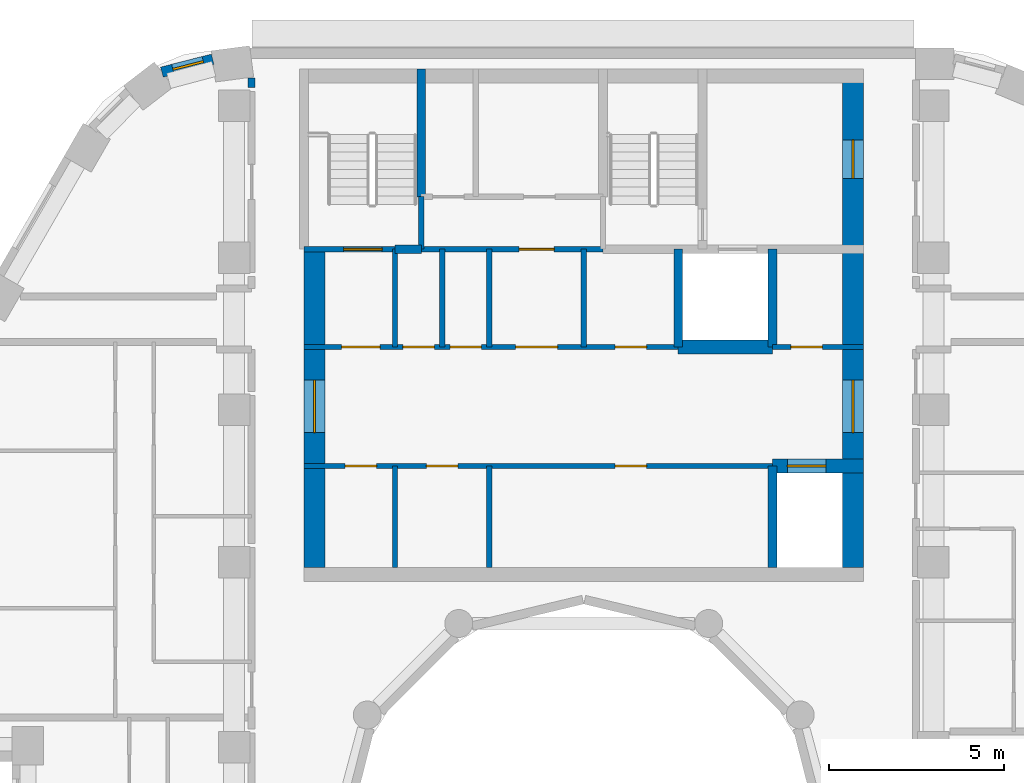
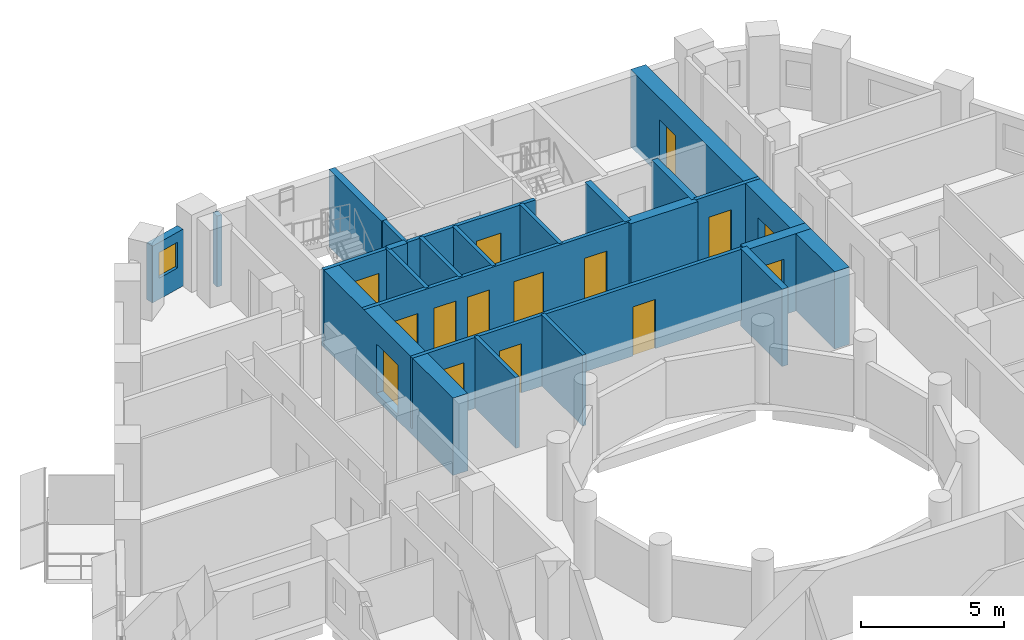
# One storey, part 7 of 14: 23 walls, 15 doors, 1 window, 16 openings.
"""IFC4 building model written with IfcOpenShell, lengths in metres."""

from ifc_helpers import new_model, si_unit, direction, frame, frame_2d, origin, place, context, subcontext, project, spatial, rectangle, extrude, material, layer, layer_set, type_object, element, fill, save


model = new_model("IFC4")

# Units and contexts
model_context = context("Model", 3, precision=1e-05, world=origin(), true_north=direction((0.0, 1.0)))
body_context = subcontext(model_context, "Body", "Model", "MODEL_VIEW")
ifc_project = project(units=[si_unit("LENGTHUNIT", "METRE"), si_unit("AREAUNIT", "SQUARE_METRE"), si_unit("VOLUMEUNIT", "CUBIC_METRE"), si_unit("PLANEANGLEUNIT", "RADIAN"), si_unit("MASSUNIT", "GRAM", prefix="KILO")], contexts=[model_context])

# Site, building, storey
site_placement = place(None, origin())
site = spatial("IfcSite", under=ifc_project, at=site_placement, CompositionType="ELEMENT")
building_placement = place(site_placement, origin())
building = spatial("IfcBuilding", under=site, at=building_placement, Name="Nakaniwa Court", CompositionType="ELEMENT")
storey_placement = place(building_placement, frame((0.0, 0.0, 262.5)))
storey = spatial("IfcBuildingStorey", under=building, at=storey_placement, Name="L69", CompositionType="ELEMENT", Elevation=262.5)

# Wall
ifc_material_1 = material(Name="Acoustic double stud partition")
ifc_layer_1 = layer(ifc_material_1, 0.199951171875)
ifc_layer_set_1 = layer_set([ifc_layer_1], Name="Acoustic double stud partition")
wall_type_1 = type_object("IfcWallType", Name="Acoustic double stud partition 200", PredefinedType="PARTITIONING", material=ifc_layer_set_1)
wall_1_placement = place(storey_placement, frame((70.5, 101.527099609375, 0.0), z_axis=(0.0, 0.0, 1.0), x_axis=(0.0, 1.0, 0.0)))
element("IfcWall", 1, at=wall_1_placement, inside=storey, type_object=wall_type_1, Name="Partition PW-096", PredefinedType="PARTITIONING", context=body_context, shape_type="SweptSolid", body=[
    extrude(rectangle(XDim=0.273681640625, YDim=0.199951171875, at=frame_2d((0.13671875, 0.0))), origin(), (0.0, 0.0, 1.0), 3.02490234375),
])

# Wall, opening, window
ifc_material_2 = material(Name="Charcoal ceramic cladding")
ifc_layer_2 = layer(ifc_material_2, 0.02, Name="Ceramic cladding")
ifc_material_3 = material(Name="Ventilated air cavity")
ifc_layer_3 = layer(ifc_material_3, 0.04, ventilated=True, Name="Ventilated cavity")
ifc_material_4 = material(Name="Mineral wool insulation")
ifc_layer_4 = layer(ifc_material_4, 0.1, Name="Insulation")
ifc_material_5 = material(Name="Cement bonded sheathing board")
ifc_layer_5 = layer(ifc_material_5, 0.012, Name="Sheathing")
ifc_material_6 = material(Name="Cold-formed galvanised stud frame with mineral wool infill")
ifc_layer_6 = layer(ifc_material_6, 0.1, Name="Stud frame")
ifc_material_7 = material(Name="Fire-rated gypsum plasterboard lining")
ifc_layer_7 = layer(ifc_material_7, 0.028, Name="Lining")
ifc_layer_set_2 = layer_set([ifc_layer_2, ifc_layer_3, ifc_layer_4, ifc_layer_5, ifc_layer_6, ifc_layer_7], Name="Charcoal ceramic faced external wall system")
wall_type_2 = type_object("IfcWallType", Name="Black ceramic faced external wall 300", PredefinedType="SOLIDWALL", material=ifc_layer_set_2)
wall_2_placement = place(storey_placement, frame((69.386474609375, 102.333251953125, 0.0), z_axis=(0.0, 0.0, 1.0), x_axis=(-0.968895303033, -0.247470991757, 0.0)))
wall_2 = element("IfcWall", 2, at=wall_2_placement, inside=storey, type_object=wall_type_2, Name="L69 external wall 09", PredefinedType="SOLIDWALL", context=body_context, shape_type="SweptSolid", body=[
    extrude(rectangle(XDim=1.50048828125, YDim=0.300048828125, at=frame_2d((0.750244140625, 0.0))), origin(), (0.0, 0.0, 1.0), 2.425048828125),
])
opening_1_placement = place(wall_2_placement, frame((0.27587890625, 0.0, 0.89990234375)))
opening_1 = element("IfcOpeningElement", 3, at=opening_1_placement, cuts=wall_2, Name="Opening W9.07", PredefinedType="OPENING", context=body_context, shape_type="SweptSolid", body=[
    extrude(rectangle(XDim=0.89990234375, YDim=1.10009765625, at=frame_2d((0.449951171875, 0.550048828125))), frame((0.0, 0.159912109375, 0.0), z_axis=(0.0, -1.0, 0.0), x_axis=(1.0, 0.0, 0.0)), (0.0, 0.0, 1.0), 0.320068359375),
])
ifc_material_8 = material(Name="Black anodised aluminium frame with dark low-E laminated double glazing", Category="aluminium")
window_type = type_object("IfcWindowType", Name="Dark glass window 900x1100 sill 900", PartitioningType="SINGLE_PANEL", PredefinedType="WINDOW", material=ifc_material_8)
window_placement = place(opening_1_placement, origin())
window = element("IfcWindow", 4, at=window_placement, inside=storey, type_object=window_type, Name="L69 habitable room window 09-0", OverallHeight=1.10009765625, OverallWidth=0.89990234375, PartitioningType="SINGLE_PANEL", PredefinedType="WINDOW", context=body_context, shape_type="SweptSolid", body=[
    extrude(rectangle(XDim=0.89990234375, YDim=1.10009765625, at=frame_2d((0.449951171875, 0.550048828125))), frame((0.0, 0.030029296875, 0.0), z_axis=(0.0, -1.0, 0.0), x_axis=(1.0, 0.0, 0.0)), (0.0, 0.0, 1.0), 0.06005859375),
])
fill(opening_1, window)

# Walls
ifc_material_9 = material(Name="Blockwork partition", Category="masonry")
ifc_layer_8 = layer(ifc_material_9, 0.14990234375)
ifc_layer_set_3 = layer_set([ifc_layer_8], Name="Blockwork partition")
wall_type_3 = type_object("IfcWallType", Name="Blockwork partition 150", PredefinedType="PARTITIONING", material=ifc_layer_set_3)
wall_3_placement = place(storey_placement, frame((74.60009765625, 87.800048828125, 0.0), z_axis=(0.0, 0.0, 1.0), x_axis=(0.0, 1.0, 0.0)))
element("IfcWall", 5, at=wall_3_placement, inside=storey, type_object=wall_type_3, Name="Partition PW-001", PredefinedType="PARTITIONING", context=body_context, shape_type="SweptSolid", body=[
    extrude(rectangle(XDim=2.89990234375, YDim=0.14990234375, at=frame_2d((1.449951171875, 0.0))), origin(), (0.0, 0.0, 1.0), 3.02490234375),
])
wall_4_placement = place(storey_placement, frame((74.60009765625, 94.10009765625, 0.0), z_axis=(0.0, 0.0, 1.0), x_axis=(0.0, 1.0, 0.0)))
element("IfcWall", 6, at=wall_4_placement, inside=storey, type_object=wall_type_3, Name="Partition PW-002", PredefinedType="PARTITIONING", context=body_context, shape_type="SweptSolid", body=[
    extrude(rectangle(XDim=2.7998046875, YDim=0.14990234375, at=frame_2d((1.39990234375, 0.0))), origin(), (0.0, 0.0, 1.0), 3.02490234375),
])

# Wall, openings, doors
wall_5_placement = place(storey_placement, frame((85.39990234375, 90.699951171875, 0.0), z_axis=(0.0, 0.0, 1.0), x_axis=(-1.0, 0.0, 0.0)))
wall_5 = element("IfcWall", 7, at=wall_5_placement, inside=storey, type_object=wall_type_3, Name="Partition PW-003", PredefinedType="PARTITIONING", context=body_context, shape_type="SweptSolid", body=[
    extrude(rectangle(XDim=13.39990234375, YDim=0.14990234375, at=frame_2d((6.699951171875, 0.0))), origin(), (0.0, 0.0, 1.0), 3.02490234375),
])
opening_2_placement = place(wall_5_placement, frame((11.324951171875, 0.0, 0.0)))
opening_2 = element("IfcOpeningElement", 8, at=opening_2_placement, cuts=wall_5, Name="Opening D-05-01", PredefinedType="OPENING", context=body_context, shape_type="SweptSolid", body=[
    extrude(rectangle(XDim=0.89990234375, YDim=2.10009765625, at=frame_2d((0.449951171875, 1.050048828125))), frame((0.0, 0.0849609375, 0.0), z_axis=(0.0, -1.0, 0.0), x_axis=(1.0, 0.0, 0.0)), (0.0, 0.0, 1.0), 0.169921875),
])
opening_3_placement = place(wall_5_placement, frame((9.0, 0.0, 0.0)))
opening_3 = element("IfcOpeningElement", 9, at=opening_3_placement, cuts=wall_5, Name="Opening D-05-02", PredefinedType="OPENING", context=body_context, shape_type="SweptSolid", body=[
    extrude(rectangle(XDim=0.89990234375, YDim=2.10009765625, at=frame_2d((0.449951171875, 1.050048828125))), frame((0.0, 0.0849609375, 0.0), z_axis=(0.0, -1.0, 0.0), x_axis=(1.0, 0.0, 0.0)), (0.0, 0.0, 1.0), 0.169921875),
])
opening_4_placement = place(wall_5_placement, frame((3.60009765625, 0.0, 0.0)))
opening_4 = element("IfcOpeningElement", 10, at=opening_4_placement, cuts=wall_5, Name="Opening D-05-03", PredefinedType="OPENING", context=body_context, shape_type="SweptSolid", body=[
    extrude(rectangle(XDim=0.89990234375, YDim=2.10009765625, at=frame_2d((0.449951171875, 1.050048828125))), frame((0.0, 0.0849609375, 0.0), z_axis=(0.0, -1.0, 0.0), x_axis=(1.0, 0.0, 0.0)), (0.0, 0.0, 1.0), 0.169921875),
])
ifc_material_10 = material(Name="Fire rated steel door set", Category="steel")
door_type_1 = type_object("IfcDoorType", Name="Service room door 900", OperationType="NOTDEFINED", PredefinedType="DOOR", material=ifc_material_10)
door_1_placement = place(opening_2_placement, origin())
door_1 = element("IfcDoor", 11, at=door_1_placement, inside=storey, type_object=door_type_1, Name="Door D-05-01 L69-001", OperationType="SINGLE_SWING_RIGHT", OverallHeight=2.10009765625, OverallWidth=0.89990234375, PredefinedType="DOOR", context=body_context, shape_type="SweptSolid", body=[
    extrude(rectangle(XDim=0.89990234375, YDim=2.10009765625, at=frame_2d((0.449951171875, 1.050048828125))), frame((0.0, 0.02490234375, 0.0), z_axis=(0.0, -1.0, 0.0), x_axis=(1.0, 0.0, 0.0)), (0.0, 0.0, 1.0), 0.050048828125),
])
fill(opening_2, door_1)
door_2_placement = place(opening_3_placement, origin())
door_2 = element("IfcDoor", 12, at=door_2_placement, inside=storey, type_object=door_type_1, Name="Door D-05-02 L69-002", OperationType="SINGLE_SWING_LEFT", OverallHeight=2.10009765625, OverallWidth=0.89990234375, PredefinedType="DOOR", context=body_context, shape_type="SweptSolid", body=[
    extrude(rectangle(XDim=0.89990234375, YDim=2.10009765625, at=frame_2d((0.449951171875, 1.050048828125))), frame((0.0, 0.02490234375, 0.0), z_axis=(0.0, -1.0, 0.0), x_axis=(1.0, 0.0, 0.0)), (0.0, 0.0, 1.0), 0.050048828125),
])
fill(opening_3, door_2)
door_3_placement = place(opening_4_placement, origin())
door_3 = element("IfcDoor", 13, at=door_3_placement, inside=storey, type_object=door_type_1, Name="Door D-05-03 L69-003", OperationType="SINGLE_SWING_RIGHT", OverallHeight=2.10009765625, OverallWidth=0.89990234375, PredefinedType="DOOR", context=body_context, shape_type="SweptSolid", body=[
    extrude(rectangle(XDim=0.89990234375, YDim=2.10009765625, at=frame_2d((0.449951171875, 1.050048828125))), frame((0.0, 0.02490234375, 0.0), z_axis=(0.0, -1.0, 0.0), x_axis=(1.0, 0.0, 0.0)), (0.0, 0.0, 1.0), 0.050048828125),
])
fill(opening_4, door_3)

# Walls
wall_6_placement = place(storey_placement, frame((77.300048828125, 87.800048828125, 0.0), z_axis=(0.0, 0.0, 1.0), x_axis=(0.0, 1.0, 0.0)))
element("IfcWall", 14, at=wall_6_placement, inside=storey, type_object=wall_type_3, Name="Partition PW-009", PredefinedType="PARTITIONING", context=body_context, shape_type="SweptSolid", body=[
    extrude(rectangle(XDim=2.89990234375, YDim=0.14990234375, at=frame_2d((1.449951171875, 0.0))), origin(), (0.0, 0.0, 1.0), 3.02490234375),
])
wall_7_placement = place(storey_placement, frame((77.300048828125, 94.10009765625, 0.0), z_axis=(0.0, 0.0, 1.0), x_axis=(0.0, 1.0, 0.0)))
element("IfcWall", 15, at=wall_7_placement, inside=storey, type_object=wall_type_3, Name="Partition PW-010", PredefinedType="PARTITIONING", context=body_context, shape_type="SweptSolid", body=[
    extrude(rectangle(XDim=2.7998046875, YDim=0.14990234375, at=frame_2d((1.39990234375, 0.0))), origin(), (0.0, 0.0, 1.0), 3.02490234375),
])

# Wall, openings, doors
wall_8_placement = place(storey_placement, frame((72.0, 94.10009765625, 0.0), z_axis=(0.0, 0.0, 1.0), x_axis=(1.0, 0.0, 0.0)))
wall_8 = element("IfcWall", 16, at=wall_8_placement, inside=storey, type_object=wall_type_3, Name="Partition PW-011", PredefinedType="PARTITIONING", context=body_context, shape_type="SweptSolid", body=[
    extrude(rectangle(XDim=10.702880859375, YDim=0.14990234375, at=frame_2d((5.3515625, 0.0))), origin(), (0.0, 0.0, 1.0), 3.02490234375),
])
opening_5_placement = place(wall_8_placement, frame((1.074951171875, 0.0, 0.0)))
opening_5 = element("IfcOpeningElement", 17, at=opening_5_placement, cuts=wall_8, Name="Opening D-08-01", PredefinedType="OPENING", context=body_context, shape_type="SweptSolid", body=[
    extrude(rectangle(XDim=1.10009765625, YDim=2.10009765625, at=frame_2d((0.550048828125, 1.050048828125))), frame((0.0, 0.0849609375, 0.0), z_axis=(0.0, -1.0, 0.0), x_axis=(1.0, 0.0, 0.0)), (0.0, 0.0, 1.0), 0.169921875),
])
opening_6_placement = place(wall_8_placement, frame((2.824951171875, 0.0, 0.0)))
opening_6 = element("IfcOpeningElement", 18, at=opening_6_placement, cuts=wall_8, Name="Opening D-05-04", PredefinedType="OPENING", context=body_context, shape_type="SweptSolid", body=[
    extrude(rectangle(XDim=0.89990234375, YDim=2.10009765625, at=frame_2d((0.449951171875, 1.050048828125))), frame((0.0, 0.0849609375, 0.0), z_axis=(0.0, -1.0, 0.0), x_axis=(1.0, 0.0, 0.0)), (0.0, 0.0, 1.0), 0.169921875),
])
opening_7_placement = place(wall_8_placement, frame((4.175048828125, 0.0, 0.0)))
opening_7 = element("IfcOpeningElement", 19, at=opening_7_placement, cuts=wall_8, Name="Opening D-05-05", PredefinedType="OPENING", context=body_context, shape_type="SweptSolid", body=[
    extrude(rectangle(XDim=0.89990234375, YDim=2.10009765625, at=frame_2d((0.449951171875, 1.050048828125))), frame((0.0, 0.0849609375, 0.0), z_axis=(0.0, -1.0, 0.0), x_axis=(1.0, 0.0, 0.0)), (0.0, 0.0, 1.0), 0.169921875),
])
opening_8_placement = place(wall_8_placement, frame((6.050048828125, 0.0, 0.0)))
opening_8 = element("IfcOpeningElement", 20, at=opening_8_placement, cuts=wall_8, Name="Opening D-06-01", PredefinedType="OPENING", context=body_context, shape_type="SweptSolid", body=[
    extrude(rectangle(XDim=1.199951171875, YDim=2.10009765625, at=frame_2d((0.60009765625, 1.050048828125))), frame((0.0, 0.0849609375, 0.0), z_axis=(0.0, -1.0, 0.0), x_axis=(1.0, 0.0, 0.0)), (0.0, 0.0, 1.0), 0.169921875),
])
opening_9_placement = place(wall_8_placement, frame((8.89990234375, 0.0, 0.0)))
opening_9 = element("IfcOpeningElement", 21, at=opening_9_placement, cuts=wall_8, Name="Opening D-05-06", PredefinedType="OPENING", context=body_context, shape_type="SweptSolid", body=[
    extrude(rectangle(XDim=0.89990234375, YDim=2.10009765625, at=frame_2d((0.449951171875, 1.050048828125))), frame((0.0, 0.0849609375, 0.0), z_axis=(0.0, -1.0, 0.0), x_axis=(1.0, 0.0, 0.0)), (0.0, 0.0, 1.0), 0.169921875),
])
ifc_material_11 = material(Name="Fire rated steel double door set", Category="steel")
door_type_2 = type_object("IfcDoorType", Name="Service passage double door 1200", OperationType="NOTDEFINED", PredefinedType="DOOR", material=ifc_material_11)
door_4_placement = place(opening_8_placement, origin())
door_4 = element("IfcDoor", 22, at=door_4_placement, inside=storey, type_object=door_type_2, Name="Door D-06-01 L69-007", OperationType="DOUBLE_DOOR_SINGLE_SWING", OverallHeight=2.10009765625, OverallWidth=1.199951171875, PredefinedType="DOOR", context=body_context, shape_type="SweptSolid", body=[
    extrude(rectangle(XDim=1.199951171875, YDim=2.10009765625, at=frame_2d((0.60009765625, 1.050048828125))), frame((0.0, 0.02490234375, 0.0), z_axis=(0.0, -1.0, 0.0), x_axis=(1.0, 0.0, 0.0)), (0.0, 0.0, 1.0), 0.050048828125),
])
fill(opening_8, door_4)
door_5_placement = place(opening_6_placement, origin())
door_5 = element("IfcDoor", 23, at=door_5_placement, inside=storey, type_object=door_type_1, Name="Door D-05-04 L69-005", OperationType="SINGLE_SWING_RIGHT", OverallHeight=2.10009765625, OverallWidth=0.89990234375, PredefinedType="DOOR", context=body_context, shape_type="SweptSolid", body=[
    extrude(rectangle(XDim=0.89990234375, YDim=2.10009765625, at=frame_2d((0.449951171875, 1.050048828125))), frame((0.0, 0.02490234375, 0.0), z_axis=(0.0, -1.0, 0.0), x_axis=(1.0, 0.0, 0.0)), (0.0, 0.0, 1.0), 0.050048828125),
])
fill(opening_6, door_5)
door_6_placement = place(opening_7_placement, origin())
door_6 = element("IfcDoor", 24, at=door_6_placement, inside=storey, type_object=door_type_1, Name="Door D-05-05 L69-006", OperationType="SINGLE_SWING_LEFT", OverallHeight=2.10009765625, OverallWidth=0.89990234375, PredefinedType="DOOR", context=body_context, shape_type="SweptSolid", body=[
    extrude(rectangle(XDim=0.89990234375, YDim=2.10009765625, at=frame_2d((0.449951171875, 1.050048828125))), frame((0.0, 0.02490234375, 0.0), z_axis=(0.0, -1.0, 0.0), x_axis=(1.0, 0.0, 0.0)), (0.0, 0.0, 1.0), 0.050048828125),
])
fill(opening_7, door_6)
door_7_placement = place(opening_9_placement, origin())
door_7 = element("IfcDoor", 25, at=door_7_placement, inside=storey, type_object=door_type_1, Name="Door D-05-06 L69-008", OperationType="SINGLE_SWING_LEFT", OverallHeight=2.10009765625, OverallWidth=0.89990234375, PredefinedType="DOOR", context=body_context, shape_type="SweptSolid", body=[
    extrude(rectangle(XDim=0.89990234375, YDim=2.10009765625, at=frame_2d((0.449951171875, 1.050048828125))), frame((0.0, 0.02490234375, 0.0), z_axis=(0.0, -1.0, 0.0), x_axis=(1.0, 0.0, 0.0)), (0.0, 0.0, 1.0), 0.050048828125),
])
fill(opening_9, door_7)
door_type_3 = type_object("IfcDoorType", Name="Stair lobby door 1100", OperationType="NOTDEFINED", PredefinedType="DOOR", material=ifc_material_10)
door_8_placement = place(opening_5_placement, origin())
door_8 = element("IfcDoor", 26, at=door_8_placement, inside=storey, type_object=door_type_3, Name="Door D-08-01 L69-004", OperationType="SINGLE_SWING_LEFT", OverallHeight=2.10009765625, OverallWidth=1.10009765625, PredefinedType="DOOR", context=body_context, shape_type="SweptSolid", body=[
    extrude(rectangle(XDim=1.10009765625, YDim=2.10009765625, at=frame_2d((0.550048828125, 1.050048828125))), frame((0.0, 0.02490234375, 0.0), z_axis=(0.0, -1.0, 0.0), x_axis=(1.0, 0.0, 0.0)), (0.0, 0.0, 1.0), 0.050048828125),
])
fill(opening_5, door_8)

# Wall, opening, door
wall_9_placement = place(storey_placement, frame((85.39697265625, 94.10009765625, 0.0), z_axis=(0.0, 0.0, 1.0), x_axis=(1.0, 0.0, 0.0)))
wall_9 = element("IfcWall", 27, at=wall_9_placement, inside=storey, type_object=wall_type_3, Name="Partition PW-012", PredefinedType="PARTITIONING", context=body_context, shape_type="SweptSolid", body=[
    extrude(rectangle(XDim=2.60302734375, YDim=0.14990234375, at=frame_2d((1.301513671875, 0.0))), origin(), (0.0, 0.0, 1.0), 3.02490234375),
])
opening_10_placement = place(wall_9_placement, frame((0.528076171875, 0.0, 0.0)))
opening_10 = element("IfcOpeningElement", 28, at=opening_10_placement, cuts=wall_9, Name="Opening D-05-07", PredefinedType="OPENING", context=body_context, shape_type="SweptSolid", body=[
    extrude(rectangle(XDim=0.89990234375, YDim=2.10009765625, at=frame_2d((0.449951171875, 1.050048828125))), frame((0.0, 0.0849609375, 0.0), z_axis=(0.0, -1.0, 0.0), x_axis=(1.0, 0.0, 0.0)), (0.0, 0.0, 1.0), 0.169921875),
])
door_9_placement = place(opening_10_placement, origin())
door_9 = element("IfcDoor", 29, at=door_9_placement, inside=storey, type_object=door_type_1, Name="Door D-05-07 L69-009", OperationType="SINGLE_SWING_RIGHT", OverallHeight=2.10009765625, OverallWidth=0.89990234375, PredefinedType="DOOR", context=body_context, shape_type="SweptSolid", body=[
    extrude(rectangle(XDim=0.89990234375, YDim=2.10009765625, at=frame_2d((0.449951171875, 1.050048828125))), frame((0.0, 0.02490234375, 0.0), z_axis=(0.0, -1.0, 0.0), x_axis=(1.0, 0.0, 0.0)), (0.0, 0.0, 1.0), 0.050048828125),
])
fill(opening_10, door_9)

# Wall
wall_10_placement = place(storey_placement, frame((75.949951171875, 94.10009765625, 0.0), z_axis=(0.0, 0.0, 1.0), x_axis=(0.0, 1.0, 0.0)))
element("IfcWall", 30, at=wall_10_placement, inside=storey, type_object=wall_type_3, Name="Partition PW-015", PredefinedType="PARTITIONING", context=body_context, shape_type="SweptSolid", body=[
    extrude(rectangle(XDim=2.7998046875, YDim=0.14990234375, at=frame_2d((1.39990234375, 0.0))), origin(), (0.0, 0.0, 1.0), 3.02490234375),
])

# Wall, opening, door
wall_11_placement = place(storey_placement, frame((75.346923828125, 96.89990234375, 0.0), z_axis=(0.0, 0.0, 1.0), x_axis=(1.0, 0.0, 0.0)))
wall_11 = element("IfcWall", 31, at=wall_11_placement, inside=storey, type_object=wall_type_3, Name="Partition PW-018", PredefinedType="PARTITIONING", context=body_context, shape_type="SweptSolid", body=[
    extrude(rectangle(XDim=5.2060546875, YDim=0.14990234375, at=frame_2d((2.60302734375, 0.0))), origin(), (0.0, 0.0, 1.0), 3.02490234375),
])
opening_11_placement = place(wall_11_placement, frame((2.802978515625, 0.0, 0.0)))
opening_11 = element("IfcOpeningElement", 32, at=opening_11_placement, cuts=wall_11, Name="Opening D-23-01", PredefinedType="OPENING", context=body_context, shape_type="SweptSolid", body=[
    extrude(rectangle(XDim=1.0, YDim=2.10009765625, at=frame_2d((0.5, 1.050048828125))), frame((0.0, 0.0849609375, 0.0), z_axis=(0.0, -1.0, 0.0), x_axis=(1.0, 0.0, 0.0)), (0.0, 0.0, 1.0), 0.169921875),
])
door_type_4 = type_object("IfcDoorType", Name="Service room door 1000", OperationType="NOTDEFINED", PredefinedType="DOOR", material=ifc_material_10)
door_10_placement = place(opening_11_placement, origin())
door_10 = element("IfcDoor", 33, at=door_10_placement, inside=storey, type_object=door_type_4, Name="Door D-23-01 L69-010", OperationType="SINGLE_SWING_LEFT", OverallHeight=2.10009765625, OverallWidth=1.0, PredefinedType="DOOR", context=body_context, shape_type="SweptSolid", body=[
    extrude(rectangle(XDim=1.0, YDim=2.10009765625, at=frame_2d((0.5, 1.050048828125))), frame((0.0, 0.02490234375, 0.0), z_axis=(0.0, -1.0, 0.0), x_axis=(1.0, 0.0, 0.0)), (0.0, 0.0, 1.0), 0.050048828125),
])
fill(opening_11, door_10)

# Wall
wall_12_placement = place(storey_placement, frame((80.0, 94.10009765625, 0.0), z_axis=(0.0, 0.0, 1.0), x_axis=(0.0, 1.0, 0.0)))
element("IfcWall", 34, at=wall_12_placement, inside=storey, type_object=wall_type_3, Name="Partition PW-019", PredefinedType="PARTITIONING", context=body_context, shape_type="SweptSolid", body=[
    extrude(rectangle(XDim=2.7998046875, YDim=0.14990234375, at=frame_2d((1.39990234375, 0.0))), origin(), (0.0, 0.0, 1.0), 3.02490234375),
])

# Wall, opening, door
ifc_material_12 = material(Name="Concrete C80/100", Category="concrete")
ifc_layer_9 = layer(ifc_material_12, 0.60009765625)
ifc_layer_set_4 = layer_set([ifc_layer_9], Name="Concrete C80/100")
wall_type_4 = type_object("IfcWallType", Name="Concrete core side wall 600 C80", PredefinedType="SHEAR", material=ifc_layer_set_4)
wall_13_placement = place(storey_placement, frame((72.300048828125, 87.800048828125, -0.27490234375), z_axis=(0.0, 0.0, 1.0), x_axis=(0.0, 1.0, 0.0)))
wall_13 = element("IfcWall", 35, at=wall_13_placement, inside=storey, type_object=wall_type_4, Name="Core wall SW-04", PredefinedType="SHEAR", context=body_context, shape_type="SweptSolid", body=[
    extrude(rectangle(XDim=9.099853515625, YDim=0.60009765625, at=frame_2d((4.5498046875, 0.0))), origin(), (0.0, 0.0, 1.0), 3.2998046875),
])
opening_12_placement = place(wall_13_placement, frame((3.85009765625, 0.0, 0.27490234375)))
opening_12 = element("IfcOpeningElement", 36, at=opening_12_placement, cuts=wall_13, Name="Opening D-07-02", PredefinedType="OPENING", context=body_context, shape_type="SweptSolid", body=[
    extrude(rectangle(XDim=1.5, YDim=2.10009765625, at=frame_2d((0.75, 1.050048828125))), frame((0.0, 0.31005859375, 0.0), z_axis=(0.0, -1.0, 0.0), x_axis=(1.0, 0.0, 0.0)), (0.0, 0.0, 1.0), 0.6201171875),
])
ifc_material_13 = material(Name="Glazed fire rated steel double door set", Category="steel")
door_type_5 = type_object("IfcDoorType", Name="Lobby double door 1500", OperationType="NOTDEFINED", PredefinedType="DOOR", material=ifc_material_13)
door_11_placement = place(opening_12_placement, origin())
door_11 = element("IfcDoor", 37, at=door_11_placement, inside=storey, type_object=door_type_5, Name="Door D-07-02 L69-060", OperationType="DOUBLE_DOOR_SINGLE_SWING", OverallHeight=2.10009765625, OverallWidth=1.5, PredefinedType="DOOR", context=body_context, shape_type="SweptSolid", body=[
    extrude(rectangle(XDim=1.5, YDim=2.10009765625, at=frame_2d((0.75, 1.050048828125))), frame((0.0, 0.02490234375, 0.0), z_axis=(0.0, -1.0, 0.0), x_axis=(1.0, 0.0, 0.0)), (0.0, 0.0, 1.0), 0.050048828125),
])
fill(opening_12, door_11)

# Wall, openings, doors
wall_14_placement = place(storey_placement, frame((87.699951171875, 102.050048828125, -0.27490234375), z_axis=(0.0, 0.0, 1.0), x_axis=(0.0, -1.0, 0.0)))
wall_14 = element("IfcWall", 38, at=wall_14_placement, inside=storey, type_object=wall_type_4, Name="Core wall SW-08", PredefinedType="SHEAR", context=body_context, shape_type="SweptSolid", body=[
    extrude(rectangle(XDim=14.25, YDim=0.60009765625, at=frame_2d((7.125, 0.0))), origin(), (0.0, 0.0, 1.0), 3.2998046875),
])
opening_13_placement = place(wall_14_placement, frame((8.89990234375, 0.0, 0.27490234375)))
opening_13 = element("IfcOpeningElement", 39, at=opening_13_placement, cuts=wall_14, Name="Opening D-07-01", PredefinedType="OPENING", context=body_context, shape_type="SweptSolid", body=[
    extrude(rectangle(XDim=1.5, YDim=2.10009765625, at=frame_2d((0.75, 1.050048828125))), frame((0.0, 0.31005859375, 0.0), z_axis=(0.0, -1.0, 0.0), x_axis=(1.0, 0.0, 0.0)), (0.0, 0.0, 1.0), 0.6201171875),
])
opening_14_placement = place(wall_14_placement, frame((2.02490234375, 0.0, 0.27490234375)))
opening_14 = element("IfcOpeningElement", 40, at=opening_14_placement, cuts=wall_14, Name="Opening D-10-01", PredefinedType="OPENING", context=body_context, shape_type="SweptSolid", body=[
    extrude(rectangle(XDim=1.10009765625, YDim=2.10009765625, at=frame_2d((0.550048828125, 1.050048828125))), frame((0.0, 0.31005859375, 0.0), z_axis=(0.0, -1.0, 0.0), x_axis=(1.0, 0.0, 0.0)), (0.0, 0.0, 1.0), 0.6201171875),
])
door_type_6 = type_object("IfcDoorType", Name="Firefighting lobby door 1100", OperationType="NOTDEFINED", PredefinedType="DOOR", material=ifc_material_10)
door_12_placement = place(opening_14_placement, origin())
door_12 = element("IfcDoor", 41, at=door_12_placement, inside=storey, type_object=door_type_6, Name="Door D-10-01 L69-061", OperationType="SINGLE_SWING_RIGHT", OverallHeight=2.10009765625, OverallWidth=1.10009765625, PredefinedType="DOOR", context=body_context, shape_type="SweptSolid", body=[
    extrude(rectangle(XDim=1.10009765625, YDim=2.10009765625, at=frame_2d((0.550048828125, 1.050048828125))), frame((0.0, 0.02490234375, 0.0), z_axis=(0.0, -1.0, 0.0), x_axis=(1.0, 0.0, 0.0)), (0.0, 0.0, 1.0), 0.050048828125),
])
fill(opening_14, door_12)
door_13_placement = place(opening_13_placement, origin())
door_13 = element("IfcDoor", 42, at=door_13_placement, inside=storey, type_object=door_type_5, Name="Door D-07-01 L69-059", OperationType="DOUBLE_DOOR_SINGLE_SWING", OverallHeight=2.10009765625, OverallWidth=1.5, PredefinedType="DOOR", context=body_context, shape_type="SweptSolid", body=[
    extrude(rectangle(XDim=1.5, YDim=2.10009765625, at=frame_2d((0.75, 1.050048828125))), frame((0.0, 0.02490234375, 0.0), z_axis=(0.0, -1.0, 0.0), x_axis=(1.0, 0.0, 0.0)), (0.0, 0.0, 1.0), 0.050048828125),
])
fill(opening_13, door_13)

# Wall, opening, door
ifc_layer_10 = layer(ifc_material_12, 0.39990234375)
ifc_layer_set_5 = layer_set([ifc_layer_10], Name="Concrete C80/100")
wall_type_5 = type_object("IfcWallType", Name="Concrete core spine wall 400 C80", PredefinedType="SHEAR", material=ifc_layer_set_5)
wall_15_placement = place(storey_placement, frame((85.39990234375, 90.699951171875, -0.27490234375), z_axis=(0.0, 0.0, 1.0), x_axis=(1.0, 0.0, 0.0)))
wall_15 = element("IfcWall", 43, at=wall_15_placement, inside=storey, type_object=wall_type_5, Name="Core wall SW-07", PredefinedType="SHEAR", context=body_context, shape_type="SweptSolid", body=[
    extrude(rectangle(XDim=2.60009765625, YDim=0.39990234375, at=frame_2d((1.300048828125, 0.0))), origin(), (0.0, 0.0, 1.0), 3.2998046875),
])
opening_15_placement = place(wall_15_placement, frame((0.425048828125, 0.0, 0.27490234375)))
opening_15 = element("IfcOpeningElement", 44, at=opening_15_placement, cuts=wall_15, Name="Opening LD01", PredefinedType="OPENING", context=body_context, shape_type="SweptSolid", body=[
    extrude(rectangle(XDim=1.10009765625, YDim=2.10009765625, at=frame_2d((0.550048828125, 1.050048828125))), frame((0.0, 0.2099609375, 0.0), z_axis=(0.0, -1.0, 0.0), x_axis=(1.0, 0.0, 0.0)), (0.0, 0.0, 1.0), 0.419921875),
])
ifc_material_14 = material(Name="Stainless steel sliding lift landing door", Category="steel")
door_type_7 = type_object("IfcDoorType", Name="Lift landing door 1100", OperationType="NOTDEFINED", PredefinedType="DOOR", material=ifc_material_14)
door_14_placement = place(opening_15_placement, origin())
door_14 = element("IfcDoor", 45, at=door_14_placement, inside=storey, type_object=door_type_7, Name="Lift landing door LD01 L69-001", OperationType="SLIDING_TO_LEFT", OverallHeight=2.10009765625, OverallWidth=1.10009765625, PredefinedType="DOOR", context=body_context, shape_type="SweptSolid", body=[
    extrude(rectangle(XDim=1.10009765625, YDim=2.10009765625, at=frame_2d((0.550048828125, 1.050048828125))), frame((0.0, 0.02490234375, 0.0), z_axis=(0.0, -1.0, 0.0), x_axis=(1.0, 0.0, 0.0)), (0.0, 0.0, 1.0), 0.050048828125),
])
fill(opening_15, door_14)

# Wall
wall_16_placement = place(storey_placement, frame((82.697021484375, 94.10009765625, -0.27490234375), z_axis=(0.0, 0.0, 1.0), x_axis=(1.0, 0.0, 0.0)))
element("IfcWall", 46, at=wall_16_placement, inside=storey, type_object=wall_type_5, Name="Core wall SW-13", PredefinedType="SHEAR", context=body_context, shape_type="SweptSolid", body=[
    extrude(rectangle(XDim=2.7060546875, YDim=0.39990234375, at=frame_2d((1.35302734375, 0.0))), origin(), (0.0, 0.0, 1.0), 3.2998046875),
])

# Wall, opening, door
ifc_layer_11 = layer(ifc_material_12, 0.14990234375)
ifc_layer_set_6 = layer_set([ifc_layer_11], Name="Concrete C80/100")
wall_type_6 = type_object("IfcWallType", Name="Concrete core wall 150 C80", PredefinedType="SHEAR", material=ifc_layer_set_6)
wall_17_placement = place(storey_placement, frame((74.60009765625, 96.89990234375, -0.27490234375), z_axis=(0.0, 0.0, 1.0), x_axis=(-1.0, 0.0, 0.0)))
wall_17 = element("IfcWall", 47, at=wall_17_placement, inside=storey, type_object=wall_type_6, Name="Core wall SW-14", PredefinedType="SHEAR", context=body_context, shape_type="SweptSolid", body=[
    extrude(rectangle(XDim=2.60009765625, YDim=0.14990234375, at=frame_2d((1.300048828125, 0.0))), origin(), (0.0, 0.0, 1.0), 3.2998046875),
])
opening_16_placement = place(wall_17_placement, frame((0.3701171875, 0.0, 0.27490234375)))
opening_16 = element("IfcOpeningElement", 48, at=opening_16_placement, cuts=wall_17, Name="Opening D-09-01", PredefinedType="OPENING", context=body_context, shape_type="SweptSolid", body=[
    extrude(rectangle(XDim=1.10009765625, YDim=2.10009765625, at=frame_2d((0.550048828125, 1.050048828125))), frame((0.0, 0.0849609375, 0.0), z_axis=(0.0, -1.0, 0.0), x_axis=(1.0, 0.0, 0.0)), (0.0, 0.0, 1.0), 0.169921875),
])
door_type_8 = type_object("IfcDoorType", Name="Stair door 1100", OperationType="NOTDEFINED", PredefinedType="DOOR", material=ifc_material_10)
door_15_placement = place(opening_16_placement, origin())
door_15 = element("IfcDoor", 49, at=door_15_placement, inside=storey, type_object=door_type_8, Name="Door D-09-01 L69-013", OperationType="SINGLE_SWING_LEFT", OverallHeight=2.10009765625, OverallWidth=1.10009765625, PredefinedType="DOOR", context=body_context, shape_type="SweptSolid", body=[
    extrude(rectangle(XDim=1.10009765625, YDim=2.10009765625, at=frame_2d((0.550048828125, 1.050048828125))), frame((0.0, 0.02490234375, 0.0), z_axis=(0.0, -1.0, 0.0), x_axis=(1.0, 0.0, 0.0)), (0.0, 0.0, 1.0), 0.050048828125),
])
fill(opening_16, door_15)

# Walls
wall_18_placement = place(storey_placement, frame((75.35009765625, 96.89990234375, -0.27490234375), z_axis=(0.0, 0.0, 1.0), x_axis=(0.0, 1.0, 0.0)))
element("IfcWall", 50, at=wall_18_placement, inside=storey, type_object=wall_type_6, Name="Core wall SW-21", PredefinedType="SHEAR", context=body_context, shape_type="SweptSolid", body=[
    extrude(rectangle(XDim=1.503173828125, YDim=0.14990234375, at=frame_2d((0.75146484375, 0.0))), origin(), (0.0, 0.0, 1.0), 3.2998046875),
])
ifc_layer_12 = layer(ifc_material_12, 0.25)
ifc_layer_set_7 = layer_set([ifc_layer_12], Name="Concrete C80/100")
wall_type_7 = type_object("IfcWallType", Name="Concrete shaft wall 250 C80", PredefinedType="SHEAR", material=ifc_layer_set_7)
wall_19_placement = place(storey_placement, frame((85.39990234375, 87.800048828125, -0.27490234375), z_axis=(0.0, 0.0, 1.0), x_axis=(0.0, 1.0, 0.0)))
element("IfcWall", 51, at=wall_19_placement, inside=storey, type_object=wall_type_7, Name="Core wall SW-05", PredefinedType="SHEAR", context=body_context, shape_type="SweptSolid", body=[
    extrude(rectangle(XDim=2.89990234375, YDim=0.25, at=frame_2d((1.449951171875, 0.0))), origin(), (0.0, 0.0, 1.0), 3.2998046875),
])
wall_20_placement = place(storey_placement, frame((85.39990234375, 94.10009765625, -0.27490234375), z_axis=(0.0, 0.0, 1.0), x_axis=(0.0, 1.0, 0.0)))
element("IfcWall", 52, at=wall_20_placement, inside=storey, type_object=wall_type_7, Name="Core wall SW-06", PredefinedType="SHEAR", context=body_context, shape_type="SweptSolid", body=[
    extrude(rectangle(XDim=2.7998046875, YDim=0.25, at=frame_2d((1.39990234375, 0.0))), origin(), (0.0, 0.0, 1.0), 3.2998046875),
])
wall_21_placement = place(storey_placement, frame((74.60009765625, 96.89990234375, -0.27490234375), z_axis=(0.0, 0.0, 1.0), x_axis=(1.0, 0.0, 0.0)))
element("IfcWall", 53, at=wall_21_placement, inside=storey, type_object=wall_type_7, Name="Core wall SW-16", PredefinedType="SHEAR", context=body_context, shape_type="SweptSolid", body=[
    extrude(rectangle(XDim=0.7529296875, YDim=0.25, at=frame_2d((0.37646484375, 0.0))), origin(), (0.0, 0.0, 1.0), 3.2998046875),
])
wall_22_placement = place(storey_placement, frame((82.699951171875, 94.10009765625, -0.27490234375), z_axis=(0.0, 0.0, 1.0), x_axis=(0.0, 1.0, 0.0)))
element("IfcWall", 54, at=wall_22_placement, inside=storey, type_object=wall_type_7, Name="Core wall SW-20", PredefinedType="SHEAR", context=body_context, shape_type="SweptSolid", body=[
    extrude(rectangle(XDim=2.7998046875, YDim=0.25, at=frame_2d((1.39990234375, 0.0))), origin(), (0.0, 0.0, 1.0), 3.2998046875),
])
wall_23_placement = place(storey_placement, frame((75.35009765625, 98.39697265625, -0.27490234375), z_axis=(0.0, 0.0, 1.0), x_axis=(0.0, 1.0, 0.0)))
element("IfcWall", 55, at=wall_23_placement, inside=storey, type_object=wall_type_7, Name="Core wall SW-22", PredefinedType="SHEAR", context=body_context, shape_type="SweptSolid", body=[
    extrude(rectangle(XDim=3.653076171875, YDim=0.25, at=frame_2d((1.82666015625, 0.0))), origin(), (0.0, 0.0, 1.0), 3.2998046875),
])

save(model, "model.ifc")
